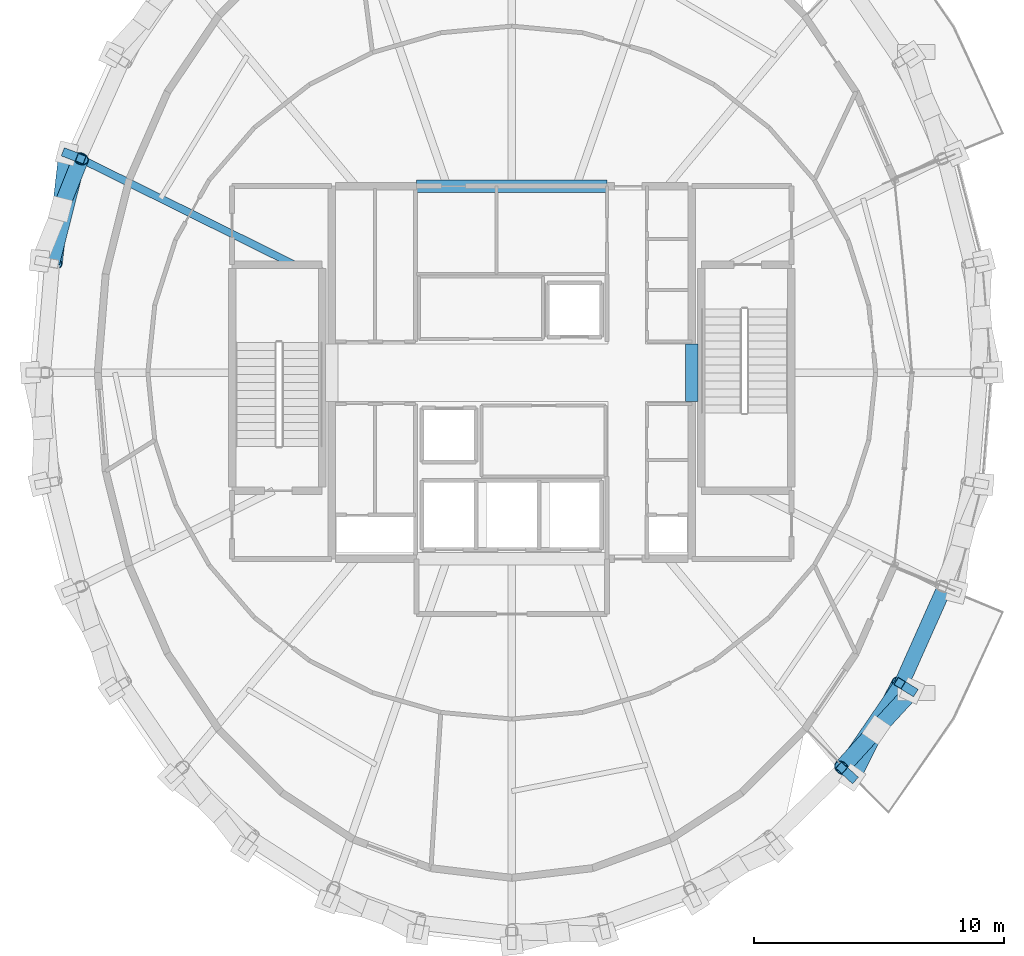
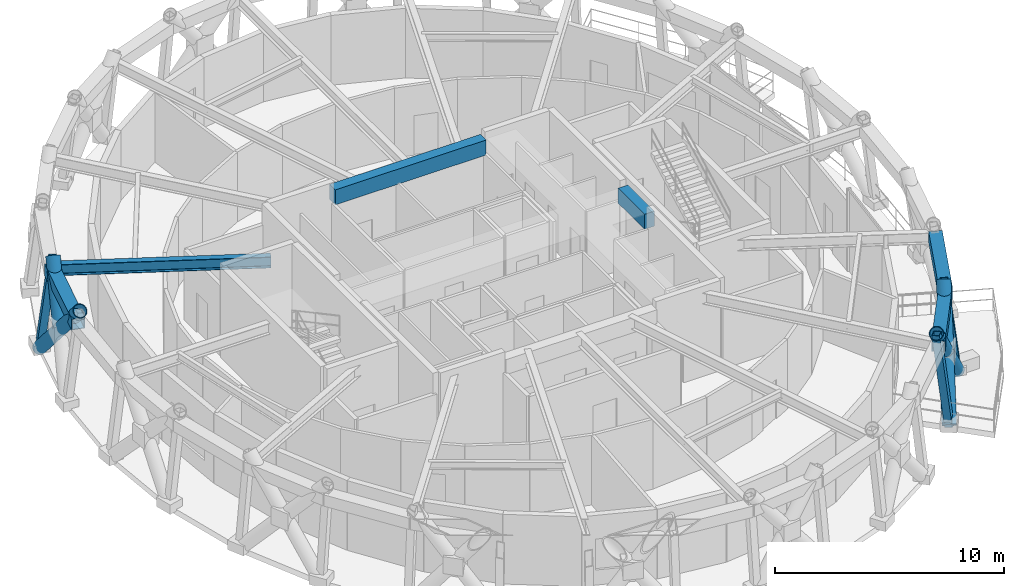
# One storey, part 2 of 11: 8 members, 6 beams.
"""IFC4 building model written with IfcOpenShell, lengths in metres."""

from ifc_helpers import new_model, si_unit, direction, frame, origin, origin_2d, place, context, subcontext, project, spatial, rectangle, hollow_rectangle, hollow_circle, i_section, extrude, material, material_profile, profile_set, type_object, element, save


model = new_model("IFC4")

# Units and contexts
model_context = context("Model", 3, precision=1e-05, world=origin(), true_north=direction((0.0, 1.0)))
body_context = subcontext(model_context, "Body", "Model", "MODEL_VIEW")
ifc_project = project(units=[si_unit("LENGTHUNIT", "METRE"), si_unit("AREAUNIT", "SQUARE_METRE"), si_unit("VOLUMEUNIT", "CUBIC_METRE"), si_unit("PLANEANGLEUNIT", "RADIAN"), si_unit("MASSUNIT", "GRAM", prefix="KILO")], contexts=[model_context])

# Site, building, storey
site_placement = place(None, origin())
site = spatial("IfcSite", under=ifc_project, at=site_placement, CompositionType="ELEMENT")
building_placement = place(site_placement, origin())
building = spatial("IfcBuilding", under=site, at=building_placement, Name="Veldorina Hangang Commons", CompositionType="ELEMENT")
storey_placement = place(building_placement, frame((0.0, 0.0, 297.60009765625)))
storey = spatial("IfcBuildingStorey", under=building, at=storey_placement, Name="L78", CompositionType="ELEMENT", Elevation=297.60009765625)

# Beams
ifc_material_1 = material(Name="Steel SM460-TMC", Category="steel")
ifc_material_profile_1 = material_profile(ifc_material_1, hollow_rectangle(XDim=0.60009765625, YDim=0.60009765625, WallThickness=0.030029296875, at=origin_2d()), Name="BOX-600x600x30")
ifc_profile_set_1 = profile_set([ifc_material_profile_1], Name="Steel SM460-TMC")
beam_type_1 = type_object("IfcBeamType", Name="BM-BLT600", PredefinedType="BEAM", material=ifc_profile_set_1)
beam_1_placement = place(storey_placement, frame((14.693359375, 32.581787109375, 4.139892578125), z_axis=(-0.245618613612, -0.969366544011, 0.0), x_axis=(0.969366544011, -0.245618613612, 0.0)))
element("IfcBeam", 1, at=beam_1_placement, inside=storey, type_object=beam_type_1, Name="L78 perimeter hoop ring beam 14", PredefinedType="BEAM", context=body_context, shape_type="SweptSolid", body=[
    extrude(hollow_rectangle(XDim=0.60009765625, YDim=0.60009765625, WallThickness=0.030029296875, at=origin_2d()), origin(), (0.0, 0.0, 1.0), 4.33984375),
])
beam_2_placement = place(storey_placement, frame((45.245849609375, 8.142578125, 4.139892578125), z_axis=(0.565401681527, 0.824815699733, 0.0), x_axis=(-0.824815699733, 0.565401681527, 0.0)))
element("IfcBeam", 2, at=beam_2_placement, inside=storey, type_object=beam_type_1, Name="L78 perimeter hoop ring beam 28", PredefinedType="BEAM", context=body_context, shape_type="SweptSolid", body=[
    extrude(hollow_rectangle(XDim=0.60009765625, YDim=0.60009765625, WallThickness=0.030029296875, at=origin_2d()), origin(), (0.0, 0.0, 1.0), 4.1201171875),
])
beam_3_placement = place(storey_placement, frame((47.575439453125, 11.541015625, 4.139892578125), z_axis=(0.407711623383, 0.913110744739, 0.0), x_axis=(-0.913110744739, 0.407711623383, 0.0)))
element("IfcBeam", 3, at=beam_3_placement, inside=storey, type_object=beam_type_1, Name="L78 perimeter hoop ring beam 29", PredefinedType="BEAM", context=body_context, shape_type="SweptSolid", body=[
    extrude(hollow_rectangle(XDim=0.60009765625, YDim=0.60009765625, WallThickness=0.030029296875, at=origin_2d()), origin(), (0.0, 0.0, 1.0), 4.24609375),
])
ifc_material_2 = material(Name="Concrete C50/60", Category="concrete")
ifc_material_profile_2 = material_profile(ifc_material_2, rectangle(XDim=0.5, YDim=0.800048828125, at=origin_2d()), Name="RC-CB-500x800")
ifc_profile_set_2 = profile_set([ifc_material_profile_2], Name="Concrete C50/60")
beam_type_2 = type_object("IfcBeamType", Name="BM-CB800", PredefinedType="LINTEL", material=ifc_profile_set_2)
beam_4_placement = place(storey_placement, frame((39.199951171875, 22.85009765625, 4.039794921875), z_axis=(0.0, 1.0, 0.0), x_axis=(-1.0, 0.0, 0.0)))
element("IfcBeam", 4, at=beam_4_placement, inside=storey, type_object=beam_type_2, Name="L78 E core coupling lintel beam", PredefinedType="LINTEL", context=body_context, shape_type="SweptSolid", body=[
    extrude(rectangle(XDim=0.5, YDim=0.800048828125, at=origin_2d()), origin(), (0.0, 0.0, 1.0), 2.2998046875),
])
beam_5_placement = place(storey_placement, frame((28.199951171875, 31.449951171875, 4.039794921875), z_axis=(1.0, 0.0, 0.0), x_axis=(0.0, 1.0, 0.0)))
element("IfcBeam", 5, at=beam_5_placement, inside=storey, type_object=beam_type_2, Name="L78 north core coupling beam", PredefinedType="LINTEL", context=body_context, shape_type="SweptSolid", body=[
    extrude(rectangle(XDim=0.5, YDim=0.800048828125, at=origin_2d()), origin(), (0.0, 0.0, 1.0), 7.60009765625),
])
ifc_material_profile_3 = material_profile(ifc_material_1, i_section(OverallWidth=0.300048828125, OverallDepth=0.587890625, WebThickness=0.011962890625, FlangeThickness=0.02001953125, FilletRadius=0.01806640625, at=origin_2d()), Name="H-588x300x12x20")
ifc_profile_set_3 = profile_set([ifc_material_profile_3], Name="Steel SM460-TMC")
beam_type_3 = type_object("IfcBeamType", Name="BM-FG588", PredefinedType="BEAM", material=ifc_profile_set_3)
beam_6_placement = place(storey_placement, frame((23.2880859375, 28.320068359375, 4.14599609375), z_axis=(-0.895908476536, 0.444238676469, 0.0), x_axis=(-0.444238676469, -0.895908476536, 0.0)))
element("IfcBeam", 6, at=beam_6_placement, inside=storey, type_object=beam_type_3, Name="L78 radial floor girder 08", PredefinedType="BEAM", context=body_context, shape_type="SweptSolid", body=[
    extrude(i_section(OverallWidth=0.300048828125, OverallDepth=0.587890625, WebThickness=0.011962890625, FlangeThickness=0.02001953125, FilletRadius=0.01806640625, at=origin_2d()), origin(), (0.0, 0.0, 1.0), 9.59326171875),
])

# Members
ifc_material_profile_4 = material_profile(ifc_material_1, hollow_circle(Radius=0.324951171875, WallThickness=0.031982421875, at=origin_2d()), Name="CHS-650x32")
ifc_profile_set_4 = profile_set([ifc_material_profile_4], Name="Steel SM460-TMC")
member_type_1 = type_object("IfcMemberType", Name="DG-CHS650", PredefinedType="BRACE", material=ifc_profile_set_4)
member_1_placement = place(storey_placement, frame((14.21533203125, 32.763427734375, 0.0), z_axis=(-0.077579071132, -0.673958838084, 0.734684267077), x_axis=(0.99344001971, -0.114354393175, 0.0)))
element("IfcMember", 7, at=member_1_placement, inside=storey, type_object=member_type_1, Name="L78 continuous perimeter diagrid brace 14", PredefinedType="BRACE", context=body_context, shape_type="SweptSolid", body=[
    extrude(hollow_circle(Radius=0.324951171875, WallThickness=0.031982421875, at=origin_2d()), origin(), (0.0, 0.0, 1.0), 6.533203125),
])
member_2_placement = place(storey_placement, frame((13.958740234375, 30.53466796875, 2.4296875), z_axis=(0.252041472874, 0.627409471921, 0.736771640669), x_axis=(-0.927926062727, 0.372764298333, 0.0)))
element("IfcMember", 8, at=member_2_placement, inside=storey, type_object=member_type_1, Name="L78 split perimeter diagrid upper brace 15", PredefinedType="BRACE", context=body_context, shape_type="SweptSolid", body=[
    extrude(hollow_circle(Radius=0.324951171875, WallThickness=0.031982421875, at=origin_2d()), origin(), (0.0, 0.0, 1.0), 3.216796875),
])
member_3_placement = place(storey_placement, frame((45.61181640625, 7.807373046875, 0.0), z_axis=(0.29636955707, 0.590486369503, 0.750660331357), x_axis=(-0.893744212456, 0.448576952931, 0.0)))
element("IfcMember", 9, at=member_3_placement, inside=storey, type_object=member_type_1, Name="L78 continuous perimeter diagrid brace 28", PredefinedType="BRACE", context=body_context, shape_type="SweptSolid", body=[
    extrude(hollow_circle(Radius=0.324951171875, WallThickness=0.031982421875, at=origin_2d()), origin(), (0.0, 0.0, 1.0), 6.39404296875),
])
member_4_placement = place(storey_placement, frame((48.005859375, 11.27734375, 0.0), z_axis=(-0.444729621361, -0.482970462292, 0.754291121808), x_axis=(0.735629799193, -0.677383789693, 0.0)))
element("IfcMember", 10, at=member_4_placement, inside=storey, type_object=member_type_1, Name="L78 split perimeter diagrid lower brace 29", PredefinedType="BRACE", context=body_context, shape_type="SweptSolid", body=[
    extrude(hollow_circle(Radius=0.324951171875, WallThickness=0.031982421875, at=origin_2d()), origin(), (0.0, 0.0, 1.0), 3.22412109375),
])
member_5_placement = place(storey_placement, frame((46.572021484375, 9.72021484375, 2.431884765625), z_axis=(-0.44122823246, -0.485654492509, 0.754623986357), x_axis=(0.740149288765, -0.672442585163, 0.0)))
element("IfcMember", 11, at=member_5_placement, inside=storey, type_object=member_type_1, Name="L78 split perimeter diagrid upper brace 29", PredefinedType="BRACE", context=body_context, shape_type="SweptSolid", body=[
    extrude(hollow_circle(Radius=0.324951171875, WallThickness=0.031982421875, at=origin_2d()), origin(), (0.0, 0.0, 1.0), 3.137939453125),
])
ifc_material_3 = material(Name="Steel SM355-TMC", Category="steel")
ifc_material_profile_5 = material_profile(ifc_material_3, hollow_rectangle(XDim=0.35009765625, YDim=0.35009765625, WallThickness=0.01611328125, at=origin_2d()), Name="SHS-350x350x16")
ifc_profile_set_5 = profile_set([ifc_material_profile_5], Name="Steel SM355-TMC")
member_type_2 = type_object("IfcMemberType", Name="STR-SHS350", PredefinedType="STRUT", material=ifc_profile_set_5)
member_6_placement = place(storey_placement, frame((14.21533203125, 32.763427734375, 0.0), z_axis=(0.114592176879, -0.043514738533, 0.992459117812), x_axis=(0.355001829231, 0.934865605979, 0.0)))
element("IfcMember", 12, at=member_6_placement, inside=storey, type_object=member_type_2, Name="L78 perimeter ring node post 14", PredefinedType="STRUT", context=body_context, shape_type="SweptSolid", body=[
    extrude(hollow_rectangle(XDim=0.35009765625, YDim=0.35009765625, WallThickness=0.01611328125, at=origin_2d()), origin(), (0.0, 0.0, 1.0), 4.836181640625),
])
member_7_placement = place(storey_placement, frame((45.61181640625, 7.807373046875, 0.0), z_axis=(-0.087773983701, 0.080451067915, 0.992886374897), x_axis=(-0.675686213147, -0.737189352448, 0.0)))
element("IfcMember", 13, at=member_7_placement, inside=storey, type_object=member_type_2, Name="L78 perimeter ring node post 28", PredefinedType="STRUT", context=body_context, shape_type="SweptSolid", body=[
    extrude(hollow_rectangle(XDim=0.35009765625, YDim=0.35009765625, WallThickness=0.01611328125, at=origin_2d()), origin(), (0.0, 0.0, 1.0), 4.834228515625),
])
member_8_placement = place(storey_placement, frame((48.005859375, 11.27734375, 0.0), z_axis=(-0.103203233308, 0.063214504942, 0.992649494535), x_axis=(-0.522327247987, -0.85274512371, 0.0)))
element("IfcMember", 14, at=member_8_placement, inside=storey, type_object=member_type_2, Name="L78 perimeter ring node post 29", PredefinedType="STRUT", context=body_context, shape_type="SweptSolid", body=[
    extrude(hollow_rectangle(XDim=0.35009765625, YDim=0.35009765625, WallThickness=0.01611328125, at=origin_2d()), origin(), (0.0, 0.0, 1.0), 4.83544921875),
])

save(model, "model.ifc")
